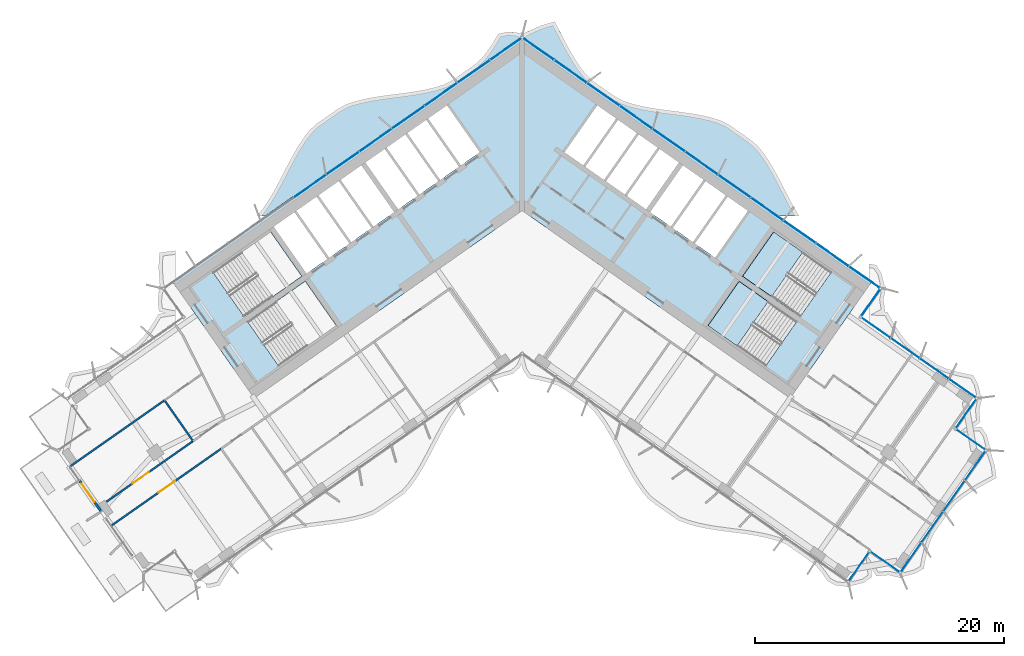
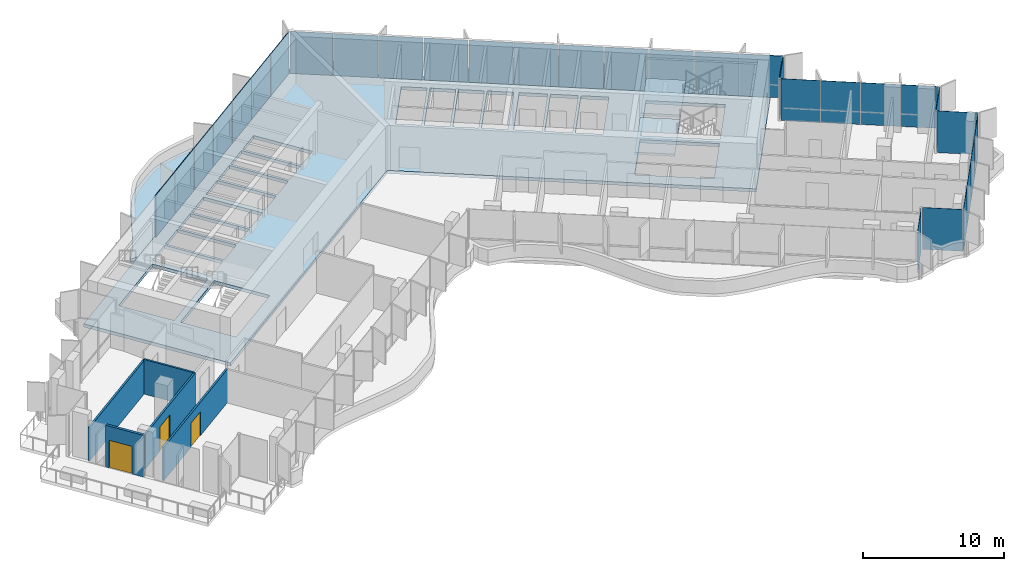
# One storey, part 13 of 24: 31 plates, 5 walls, 4 slabs, 3 doors, 3 openings, 4 elements without a shape of their own.
"""IFC4 building model written with IfcOpenShell, lengths in metres."""

from ifc_helpers import new_model, si_unit, direction, frame, frame_2d, origin, origin_2d, place, context, subcontext, project, spatial, polyline, rectangle, outline, extrude, material, layer, layer_set, type_object, element, fill, aggregate, save


model = new_model("IFC4")

# Units and contexts
model_context = context("Model", 3, precision=1e-05, world=origin(), true_north=direction((0.0, 1.0)))
body_context = subcontext(model_context, "Body", "Model", "MODEL_VIEW")
ifc_project = project(units=[si_unit("LENGTHUNIT", "METRE"), si_unit("AREAUNIT", "SQUARE_METRE"), si_unit("VOLUMEUNIT", "CUBIC_METRE"), si_unit("PLANEANGLEUNIT", "RADIAN"), si_unit("MASSUNIT", "GRAM", prefix="KILO")], contexts=[model_context])

# Site, building, storey
site_placement = place(None, origin())
site = spatial("IfcSite", under=ifc_project, at=site_placement, CompositionType="ELEMENT")
building_placement = place(site_placement, origin())
building = spatial("IfcBuilding", under=site, at=building_placement, Name="Tel Ilan Convention Tower", CompositionType="ELEMENT")
storey_placement = place(building_placement, frame((0.0, 0.0, 167.10009765625)))
storey = spatial("IfcBuildingStorey", under=building, at=storey_placement, Name="L38", CompositionType="ELEMENT", Elevation=167.10009765625)

# Curtain wall, plates
ifc_material_1 = material(Name="Aluminium, bronze anodised", Category="aluminium")
curtain_wall_type_1 = type_object("IfcCurtainWallType", Name="CW4 STICK CURTAIN WALL, OFFICE TINTED GLASS", PredefinedType="NOTDEFINED", material=ifc_material_1)
curtain_wall_1_placement = place(storey_placement, origin())
curtain_wall_1 = element("IfcCurtainWall", 1, at=curtain_wall_1_placement, inside=storey, type_object=curtain_wall_type_1, Name="Curtain wall CW4-30.04", PredefinedType="NOTDEFINED")
ifc_material_2 = material(Name="Glass, bronze tinted, two-ply", Category="glass")
ifc_layer_1 = layer(ifc_material_2, 0.028076171875)
ifc_layer_set_1 = layer_set([ifc_layer_1], Name="CW GLASS PANEL 28")
plate_type_1 = type_object("IfcPlateType", Name="CW GLASS PANEL 28", PredefinedType="CURTAIN_PANEL", material=ifc_layer_set_1)
plate_1_placement = place(storey_placement, frame((27.065673828125, -29.863525390625, -0.000244140625), z_axis=(0.0, 0.0, 1.0), x_axis=(0.573576436351, 0.819152044289, 0.0)))
plate_1 = element("IfcPlate", 2, at=plate_1_placement, type_object=plate_type_1, Name="Glass panel", PredefinedType="CURTAIN_PANEL", context=body_context, shape_type="SweptSolid", body=[
    extrude(rectangle(XDim=2.875, YDim=0.028076171875, at=origin_2d()), origin(), (0.0, 0.0, 1.0), 3.6201171875),
])
plate_2_placement = place(storey_placement, frame((29.20849609375, -29.48583984375, -0.000244140625), z_axis=(0.0, 0.0, 1.0), x_axis=(0.819152044289, -0.573576436351, 0.0)))
plate_2 = element("IfcPlate", 3, at=plate_2_placement, type_object=plate_type_1, Name="Glass panel", PredefinedType="CURTAIN_PANEL", context=body_context, shape_type="SweptSolid", body=[
    extrude(rectangle(XDim=2.875, YDim=0.028076171875, at=origin_2d()), origin(), (0.0, 0.0, 1.0), 3.6201171875),
])
plate_3_placement = place(storey_placement, frame((31.25, -29.1181640625, -0.000244140625), z_axis=(0.0, 0.0, 1.0), x_axis=(0.573576436351, 0.819152044289, 0.0)))
plate_3 = element("IfcPlate", 4, at=plate_3_placement, type_object=plate_type_1, Name="Glass panel", PredefinedType="CURTAIN_PANEL", context=body_context, shape_type="SweptSolid", body=[
    extrude(rectangle(XDim=2.89599609375, YDim=0.028076171875, at=origin_2d()), origin(), (0.0, 0.0, 1.0), 3.6201171875),
])
plate_4_placement = place(storey_placement, frame((32.972412109375, -26.658203125, -0.000244140625), z_axis=(0.0, 0.0, 1.0), x_axis=(0.573576436351, 0.819152044289, 0.0)))
plate_4 = element("IfcPlate", 5, at=plate_4_placement, type_object=plate_type_1, Name="Glass panel", PredefinedType="CURTAIN_PANEL", context=body_context, shape_type="SweptSolid", body=[
    extrude(rectangle(XDim=2.989990234375, YDim=0.028076171875, at=origin_2d()), origin(), (0.0, 0.0, 1.0), 3.6201171875),
])
plate_5_placement = place(storey_placement, frame((34.721923828125, -24.159912109375, -0.000244140625), z_axis=(0.0, 0.0, 1.0), x_axis=(0.573576436351, 0.819152044289, 0.0)))
plate_5 = element("IfcPlate", 6, at=plate_5_placement, type_object=plate_type_1, Name="Glass panel", PredefinedType="CURTAIN_PANEL", context=body_context, shape_type="SweptSolid", body=[
    extrude(rectangle(XDim=2.989990234375, YDim=0.028076171875, at=origin_2d()), origin(), (0.0, 0.0, 1.0), 3.6201171875),
])
plate_6_placement = place(storey_placement, frame((36.4443359375, -21.699951171875, -0.000244140625), z_axis=(0.0, 0.0, 1.0), x_axis=(0.573576436351, 0.819152044289, 0.0)))
plate_6 = element("IfcPlate", 7, at=plate_6_placement, type_object=plate_type_1, Name="Glass panel", PredefinedType="CURTAIN_PANEL", context=body_context, shape_type="SweptSolid", body=[
    extrude(rectangle(XDim=2.89599609375, YDim=0.028076171875, at=origin_2d()), origin(), (0.0, 0.0, 1.0), 3.6201171875),
])
plate_7_placement = place(storey_placement, frame((36.09130859375, -19.656005859375, -0.000244140625), z_axis=(0.0, 0.0, 1.0), x_axis=(-0.819152044289, 0.573576436351, 0.0)))
plate_7 = element("IfcPlate", 8, at=plate_7_placement, type_object=plate_type_1, Name="Glass panel", PredefinedType="CURTAIN_PANEL", context=body_context, shape_type="SweptSolid", body=[
    extrude(rectangle(XDim=2.875, YDim=0.028076171875, at=origin_2d()), origin(), (0.0, 0.0, 1.0), 3.6201171875),
])
plate_8_placement = place(storey_placement, frame((35.713623046875, -17.51318359375, -0.000244140625), z_axis=(0.0, 0.0, 1.0), x_axis=(0.573576436351, 0.819152044289, 0.0)))
plate_8 = element("IfcPlate", 9, at=plate_8_placement, type_object=plate_type_1, Name="Glass panel", PredefinedType="CURTAIN_PANEL", context=body_context, shape_type="SweptSolid", body=[
    extrude(rectangle(XDim=2.875, YDim=0.028076171875, at=origin_2d()), origin(), (0.0, 0.0, 1.0), 3.6201171875),
])
plate_9_placement = place(storey_placement, frame((35.427978515625, -15.529052734375, -0.000244140625), z_axis=(0.0, 0.0, 1.0), x_axis=(-0.819152044289, 0.573576436351, 0.0)))
plate_9 = element("IfcPlate", 10, at=plate_9_placement, type_object=plate_type_1, Name="Glass panel", PredefinedType="CURTAIN_PANEL", context=body_context, shape_type="SweptSolid", body=[
    extrude(rectangle(XDim=2.696044921875, YDim=0.028076171875, at=origin_2d()), origin(), (0.0, 0.0, 1.0), 3.6201171875),
])
plate_10_placement = place(storey_placement, frame((33.1318359375, -13.92138671875, -0.000244140625), z_axis=(0.0, 0.0, 1.0), x_axis=(-0.819152044289, 0.573576436351, 0.0)))
plate_10 = element("IfcPlate", 11, at=plate_10_placement, type_object=plate_type_1, Name="Glass panel", PredefinedType="CURTAIN_PANEL", context=body_context, shape_type="SweptSolid", body=[
    extrude(rectangle(XDim=2.7900390625, YDim=0.028076171875, at=origin_2d()), origin(), (0.0, 0.0, 1.0), 3.6201171875),
])
plate_11_placement = place(storey_placement, frame((30.79736328125, -12.28662109375, -0.000244140625), z_axis=(0.0, 0.0, 1.0), x_axis=(-0.819152044289, 0.573576436351, 0.0)))
plate_11 = element("IfcPlate", 12, at=plate_11_placement, type_object=plate_type_1, Name="Glass panel", PredefinedType="CURTAIN_PANEL", context=body_context, shape_type="SweptSolid", body=[
    extrude(rectangle(XDim=2.7900390625, YDim=0.028076171875, at=origin_2d()), origin(), (0.0, 0.0, 1.0), 3.6201171875),
])
plate_12_placement = place(storey_placement, frame((28.450927734375, -10.6435546875, -0.000244140625), z_axis=(0.0, 0.0, 1.0), x_axis=(-0.819152044289, 0.573576436351, 0.0)))
plate_12 = element("IfcPlate", 13, at=plate_12_placement, type_object=plate_type_1, Name="Glass panel", PredefinedType="CURTAIN_PANEL", context=body_context, shape_type="SweptSolid", body=[
    extrude(rectangle(XDim=2.819091796875, YDim=0.028076171875, at=origin_2d()), origin(), (0.0, 0.0, 1.0), 3.6201171875),
])
aggregate(curtain_wall_1, [plate_1, plate_2, plate_3, plate_4, plate_5, plate_6, plate_7, plate_8, plate_9, plate_10, plate_11, plate_12])

ifc_material_3 = material(Name="Aluminium, bronze anodised", Category="aluminium")
curtain_wall_type_2 = type_object("IfcCurtainWallType", Name="CW2 STICK CURTAIN WALL, SPANDREL PANELS", PredefinedType="NOTDEFINED", material=ifc_material_3)
curtain_wall_2_placement = place(storey_placement, origin())
curtain_wall_2 = element("IfcCurtainWall", 14, at=curtain_wall_2_placement, inside=storey, type_object=curtain_wall_type_2, Name="Curtain wall CW2-30.01", PredefinedType="NOTDEFINED")
ifc_material_4 = material(Name="Aluminium composite panel, bronze anodised", Category="aluminium")
ifc_layer_2 = layer(ifc_material_4, 0.06005859375)
ifc_layer_set_2 = layer_set([ifc_layer_2], Name="CW SPANDREL PANEL 60")
plate_type_2 = type_object("IfcPlateType", Name="CW SPANDREL PANEL 60", PredefinedType="CURTAIN_PANEL", material=ifc_layer_set_2)
plate_13_placement = place(storey_placement, frame((28.033935546875, -8.60546875, -0.000244140625), z_axis=(0.0, 0.0, 1.0), x_axis=(0.573576436351, 0.819152044289, 0.0)))
plate_13 = element("IfcPlate", 15, at=plate_13_placement, type_object=plate_type_2, Name="Spandrel panel", PredefinedType="CURTAIN_PANEL", context=body_context, shape_type="SweptSolid", body=[
    extrude(rectangle(XDim=2.658935546875, YDim=0.06005859375, at=origin_2d()), origin(), (0.0, 0.0, 1.0), 3.6201171875),
])
plate_14_placement = place(storey_placement, frame((27.5400390625, -6.587646484375, -0.000244140625), z_axis=(0.0, 0.0, 1.0), x_axis=(-0.819152044289, 0.573576436351, 0.0)))
plate_14 = element("IfcPlate", 16, at=plate_14_placement, type_object=plate_type_2, Name="Spandrel panel", PredefinedType="CURTAIN_PANEL", context=body_context, shape_type="SweptSolid", body=[
    extrude(rectangle(XDim=3.0439453125, YDim=0.06005859375, at=origin_2d()), origin(), (0.0, 0.0, 1.0), 3.6201171875),
])
plate_15_placement = place(storey_placement, frame((24.95263671875, -4.77587890625, -0.000244140625), z_axis=(0.0, 0.0, 1.0), x_axis=(-0.819152044289, 0.573576436351, 0.0)))
plate_15 = element("IfcPlate", 17, at=plate_15_placement, type_object=plate_type_2, Name="Spandrel panel", PredefinedType="CURTAIN_PANEL", context=body_context, shape_type="SweptSolid", body=[
    extrude(rectangle(XDim=3.15380859375, YDim=0.06005859375, at=origin_2d()), origin(), (0.0, 0.0, 1.0), 3.6201171875),
])
plate_16_placement = place(storey_placement, frame((22.31982421875, -2.9326171875, -0.000244140625), z_axis=(0.0, 0.0, 1.0), x_axis=(-0.819152044289, 0.573576436351, 0.0)))
plate_16 = element("IfcPlate", 18, at=plate_16_placement, type_object=plate_type_2, Name="Spandrel panel", PredefinedType="CURTAIN_PANEL", context=body_context, shape_type="SweptSolid", body=[
    extrude(rectangle(XDim=3.15380859375, YDim=0.06005859375, at=origin_2d()), origin(), (0.0, 0.0, 1.0), 3.6201171875),
])
plate_17_placement = place(storey_placement, frame((19.687255859375, -1.089111328125, -0.000244140625), z_axis=(0.0, 0.0, 1.0), x_axis=(-0.819152044289, 0.573576436351, 0.0)))
plate_17 = element("IfcPlate", 19, at=plate_17_placement, type_object=plate_type_2, Name="Spandrel panel", PredefinedType="CURTAIN_PANEL", context=body_context, shape_type="SweptSolid", body=[
    extrude(rectangle(XDim=3.15380859375, YDim=0.06005859375, at=origin_2d()), origin(), (0.0, 0.0, 1.0), 3.6201171875),
])
plate_18_placement = place(storey_placement, frame((17.0546875, 0.754150390625, -0.000244140625), z_axis=(0.0, 0.0, 1.0), x_axis=(-0.819152044289, 0.573576436351, 0.0)))
plate_18 = element("IfcPlate", 20, at=plate_18_placement, type_object=plate_type_2, Name="Spandrel panel", PredefinedType="CURTAIN_PANEL", context=body_context, shape_type="SweptSolid", body=[
    extrude(rectangle(XDim=3.15380859375, YDim=0.06005859375, at=origin_2d()), origin(), (0.0, 0.0, 1.0), 3.6201171875),
])
plate_19_placement = place(storey_placement, frame((14.422119140625, 2.59765625, -0.000244140625), z_axis=(0.0, 0.0, 1.0), x_axis=(-0.819152044289, 0.573576436351, 0.0)))
plate_19 = element("IfcPlate", 21, at=plate_19_placement, type_object=plate_type_2, Name="Spandrel panel", PredefinedType="CURTAIN_PANEL", context=body_context, shape_type="SweptSolid", body=[
    extrude(rectangle(XDim=3.15380859375, YDim=0.06005859375, at=origin_2d()), origin(), (0.0, 0.0, 1.0), 3.6201171875),
])
plate_20_placement = place(storey_placement, frame((11.789306640625, 4.44091796875, -0.000244140625), z_axis=(0.0, 0.0, 1.0), x_axis=(-0.819152044289, 0.573576436351, 0.0)))
plate_20 = element("IfcPlate", 22, at=plate_20_placement, type_object=plate_type_2, Name="Spandrel panel", PredefinedType="CURTAIN_PANEL", context=body_context, shape_type="SweptSolid", body=[
    extrude(rectangle(XDim=3.15380859375, YDim=0.06005859375, at=origin_2d()), origin(), (0.0, 0.0, 1.0), 3.6201171875),
])
plate_21_placement = place(storey_placement, frame((9.15673828125, 6.284423828125, -0.000244140625), z_axis=(0.0, 0.0, 1.0), x_axis=(-0.819152044289, 0.573576436351, 0.0)))
plate_21 = element("IfcPlate", 23, at=plate_21_placement, type_object=plate_type_2, Name="Spandrel panel", PredefinedType="CURTAIN_PANEL", context=body_context, shape_type="SweptSolid", body=[
    extrude(rectangle(XDim=3.15380859375, YDim=0.06005859375, at=origin_2d()), origin(), (0.0, 0.0, 1.0), 3.6201171875),
])
plate_22_placement = place(storey_placement, frame((6.524169921875, 8.127685546875, -0.000244140625), z_axis=(0.0, 0.0, 1.0), x_axis=(-0.819152044289, 0.573576436351, 0.0)))
plate_22 = element("IfcPlate", 24, at=plate_22_placement, type_object=plate_type_2, Name="Spandrel panel", PredefinedType="CURTAIN_PANEL", context=body_context, shape_type="SweptSolid", body=[
    extrude(rectangle(XDim=3.15380859375, YDim=0.06005859375, at=origin_2d()), origin(), (0.0, 0.0, 1.0), 3.6201171875),
])
plate_23_placement = place(storey_placement, frame((3.8916015625, 9.97119140625, -0.000244140625), z_axis=(0.0, 0.0, 1.0), x_axis=(-0.819152044289, 0.573576436351, 0.0)))
plate_23 = element("IfcPlate", 25, at=plate_23_placement, type_object=plate_type_2, Name="Spandrel panel", PredefinedType="CURTAIN_PANEL", context=body_context, shape_type="SweptSolid", body=[
    extrude(rectangle(XDim=3.15380859375, YDim=0.06005859375, at=origin_2d()), origin(), (0.0, 0.0, 1.0), 3.6201171875),
])
plate_24_placement = place(storey_placement, frame((1.303955078125, 11.782958984375, -0.000244140625), z_axis=(0.0, 0.0, 1.0), x_axis=(-0.819152044289, 0.573576436351, 0.0)))
plate_24 = element("IfcPlate", 26, at=plate_24_placement, type_object=plate_type_2, Name="Spandrel panel", PredefinedType="CURTAIN_PANEL", context=body_context, shape_type="SweptSolid", body=[
    extrude(rectangle(XDim=3.0439453125, YDim=0.06005859375, at=origin_2d()), origin(), (0.0, 0.0, 1.0), 3.6201171875),
])
plate_25_placement = place(storey_placement, frame((-1.303955078125, 11.782958984375, -0.000244140625), z_axis=(0.0, 0.0, 1.0), x_axis=(-0.819152044289, -0.573576436351, 0.0)))
plate_25 = element("IfcPlate", 27, at=plate_25_placement, type_object=plate_type_2, Name="Spandrel panel", PredefinedType="CURTAIN_PANEL", context=body_context, shape_type="SweptSolid", body=[
    extrude(rectangle(XDim=3.0439453125, YDim=0.06005859375, at=origin_2d()), origin(), (0.0, 0.0, 1.0), 3.6201171875),
])
plate_26_placement = place(storey_placement, frame((-3.8916015625, 9.97119140625, -0.000244140625), z_axis=(0.0, 0.0, 1.0), x_axis=(-0.819152044289, -0.573576436351, 0.0)))
plate_26 = element("IfcPlate", 28, at=plate_26_placement, type_object=plate_type_2, Name="Spandrel panel", PredefinedType="CURTAIN_PANEL", context=body_context, shape_type="SweptSolid", body=[
    extrude(rectangle(XDim=3.15380859375, YDim=0.06005859375, at=origin_2d()), origin(), (0.0, 0.0, 1.0), 3.6201171875),
])
plate_27_placement = place(storey_placement, frame((-6.524169921875, 8.127685546875, -0.000244140625), z_axis=(0.0, 0.0, 1.0), x_axis=(-0.819152044289, -0.573576436351, 0.0)))
plate_27 = element("IfcPlate", 29, at=plate_27_placement, type_object=plate_type_2, Name="Spandrel panel", PredefinedType="CURTAIN_PANEL", context=body_context, shape_type="SweptSolid", body=[
    extrude(rectangle(XDim=3.15380859375, YDim=0.06005859375, at=origin_2d()), origin(), (0.0, 0.0, 1.0), 3.6201171875),
])
plate_28_placement = place(storey_placement, frame((-9.15673828125, 6.284423828125, -0.000244140625), z_axis=(0.0, 0.0, 1.0), x_axis=(-0.819152044289, -0.573576436351, 0.0)))
plate_28 = element("IfcPlate", 30, at=plate_28_placement, type_object=plate_type_2, Name="Spandrel panel", PredefinedType="CURTAIN_PANEL", context=body_context, shape_type="SweptSolid", body=[
    extrude(rectangle(XDim=3.15380859375, YDim=0.06005859375, at=origin_2d()), origin(), (0.0, 0.0, 1.0), 3.6201171875),
])
plate_29_placement = place(storey_placement, frame((-11.789306640625, 4.44091796875, -0.000244140625), z_axis=(0.0, 0.0, 1.0), x_axis=(-0.819152044289, -0.573576436351, 0.0)))
plate_29 = element("IfcPlate", 31, at=plate_29_placement, type_object=plate_type_2, Name="Spandrel panel", PredefinedType="CURTAIN_PANEL", context=body_context, shape_type="SweptSolid", body=[
    extrude(rectangle(XDim=3.15380859375, YDim=0.06005859375, at=origin_2d()), origin(), (0.0, 0.0, 1.0), 3.6201171875),
])
plate_30_placement = place(storey_placement, frame((-14.422119140625, 2.59765625, -0.000244140625), z_axis=(0.0, 0.0, 1.0), x_axis=(-0.819152044289, -0.573576436351, 0.0)))
plate_30 = element("IfcPlate", 32, at=plate_30_placement, type_object=plate_type_2, Name="Spandrel panel", PredefinedType="CURTAIN_PANEL", context=body_context, shape_type="SweptSolid", body=[
    extrude(rectangle(XDim=3.15380859375, YDim=0.06005859375, at=origin_2d()), origin(), (0.0, 0.0, 1.0), 3.6201171875),
])
plate_31_placement = place(storey_placement, frame((-17.0546875, 0.754150390625, -0.000244140625), z_axis=(0.0, 0.0, 1.0), x_axis=(-0.819152044289, -0.573576436351, 0.0)))
plate_31 = element("IfcPlate", 33, at=plate_31_placement, type_object=plate_type_2, Name="Spandrel panel", PredefinedType="CURTAIN_PANEL", context=body_context, shape_type="SweptSolid", body=[
    extrude(rectangle(XDim=3.15380859375, YDim=0.06005859375, at=origin_2d()), origin(), (0.0, 0.0, 1.0), 3.6201171875),
])
aggregate(curtain_wall_2, [plate_13, plate_14, plate_15, plate_16, plate_17, plate_18, plate_19, plate_20, plate_21, plate_22, plate_23, plate_24, plate_25, plate_26, plate_27, plate_28, plate_29, plate_30, plate_31])

# Stair, slab
ifc_material_5 = material(Name="Concrete C40/50", Category="concrete")
stair_type = type_object("IfcStairType", Name="Pressurised Exit Stair 22 risers 177 mm", PredefinedType="HALF_TURN_STAIR", material=ifc_material_5)
stair_1_placement = place(storey_placement, origin())
stair_1 = element("IfcStair", 34, at=stair_1_placement, inside=storey, type_object=stair_type, Name="L38 Pressurised Stair S3", PredefinedType="HALF_TURN_STAIR")
ifc_material_6 = material(Name="Concrete C40/50", Category="concrete")
ifc_layer_3 = layer(ifc_material_6, 0.199951171875)
ifc_layer_set_3 = layer_set([ifc_layer_3], Name="Concrete Stair Landing 200 mm C40/50")
slab_type_1 = type_object("IfcSlabType", Name="Concrete Stair Landing 200 mm", PredefinedType="LANDING", material=ifc_layer_set_3)
slab_1_placement = place(storey_placement, frame((0.0, 0.0, 1.75)))
slab_1 = element("IfcSlab", 35, at=slab_1_placement, type_object=slab_type_1, Name="S3 landing 1", PredefinedType="LANDING", context=body_context, shape_type="SweptSolid", body=[
    extrude(outline(polyline([(22.561767578125, -4.566650390625), (20.226318359375, -2.931640625), (17.7314453125, -6.494873046875), (20.066650390625, -8.130126953125), (22.561767578125, -4.566650390625)])), origin(), (0.0, 0.0, 1.0), 0.199951171875),
])
aggregate(stair_1, [slab_1])

stair_2_placement = place(storey_placement, origin())
stair_2 = element("IfcStair", 36, at=stair_2_placement, inside=storey, type_object=stair_type, Name="L38 Pressurised Stair S4", PredefinedType="HALF_TURN_STAIR")
slab_2_placement = place(storey_placement, frame((0.0, 0.0, 1.75)))
slab_2 = element("IfcSlab", 37, at=slab_2_placement, type_object=slab_type_1, Name="S4 landing 1", PredefinedType="LANDING", context=body_context, shape_type="SweptSolid", body=[
    extrude(outline(polyline([(19.77978515625, -8.53955078125), (17.444580078125, -6.904541015625), (14.949462890625, -10.4677734375), (17.28466796875, -12.10302734375), (19.77978515625, -8.53955078125)])), origin(), (0.0, 0.0, 1.0), 0.199951171875),
])
aggregate(stair_2, [slab_2])

# Slabs
ifc_material_7 = material(Name="Concrete C40/50", Category="concrete")
ifc_layer_4 = layer(ifc_material_7, 0.280029296875)
ifc_layer_set_4 = layer_set([ifc_layer_4], Name="Core Floor Slab 280 mm C40/50")
slab_type_2 = type_object("IfcSlabType", Name="Core Floor Slab 280 mm C40/50", PredefinedType="FLOOR", material=ifc_layer_set_4)
slab_3_placement = place(storey_placement, frame((0.0, 0.0, -0.280029296875)))
element("IfcSlab", 38, at=slab_3_placement, inside=storey, type_object=slab_type_2, Name="L38 core floor 1", PredefinedType="FLOOR", context=body_context, shape_type="SweptSolid", body=[
    extrude(outline(polyline([(-28.1396484375, -6.885498046875), (0.0, 12.818115234375), (28.1396484375, -6.885498046875), (21.54345703125, -16.3056640625), (0.0, -1.220703125), (-21.54345703125, -16.3056640625), (-28.1396484375, -6.885498046875)]), holes=[polyline([(-14.949462890625, -10.4677734375), (-17.444580078125, -6.904541015625), (-22.072021484375, -10.144775390625), (-19.5771484375, -13.7080078125), (-14.949462890625, -10.4677734375)]), polyline([(-17.7314453125, -6.494873046875), (-20.226318359375, -2.931640625), (-24.85400390625, -6.171875), (-22.35888671875, -9.735107421875), (-17.7314453125, -6.494873046875)]), polyline([(-18.313720703125, -1.34814453125), (-19.972412109375, -2.509521484375), (-17.333984375, -6.277587890625), (-15.67529296875, -5.1162109375), (-18.313720703125, -1.34814453125)]), polyline([(-16.531982421875, -0.1005859375), (-18.14990234375, -1.2333984375), (-15.511474609375, -5.00146484375), (-13.8935546875, -3.86865234375), (-16.531982421875, -0.1005859375)]), polyline([(-14.75048828125, 1.14697265625), (-16.368408203125, 0.01416015625), (-13.729736328125, -3.75390625), (-12.112060546875, -2.62109375), (-14.75048828125, 1.14697265625)]), polyline([(-12.927734375, 2.423095703125), (-14.586669921875, 1.26171875), (-11.947998046875, -2.506591796875), (-10.289306640625, -1.344970703125), (-12.927734375, 2.423095703125)]), polyline([(-11.053955078125, 3.735107421875), (-12.60009765625, 2.652587890625), (-9.961669921875, -1.115478515625), (-8.41552734375, -0.032958984375), (-11.053955078125, 3.735107421875)]), polyline([(-6.74658203125, 1.1357421875), (-9.385009765625, 4.90380859375), (-10.89013671875, 3.849853515625), (-8.251708984375, 0.081787109375), (-6.74658203125, 1.1357421875)]), polyline([(-5.077392578125, 2.304443359375), (-7.716064453125, 6.072509765625), (-9.22119140625, 5.0185546875), (-6.582763671875, 1.25048828125), (-5.077392578125, 2.304443359375)]), polyline([(-6.046875, 7.2412109375), (-7.552001953125, 6.187255859375), (-4.913818359375, 2.419189453125), (-3.408447265625, 3.47314453125), (-6.046875, 7.2412109375)]), polyline([(17.444580078125, -6.904541015625), (14.949462890625, -10.4677734375), (19.5771484375, -13.7080078125), (22.072021484375, -10.144775390625), (17.444580078125, -6.904541015625)]), polyline([(20.226318359375, -2.931640625), (17.7314453125, -6.494873046875), (22.35888671875, -9.735107421875), (24.85400390625, -6.171875), (20.226318359375, -2.931640625)]), polyline([(13.8935546875, -3.86865234375), (15.511474609375, -5.00146484375), (18.14990234375, -1.2333984375), (16.531982421875, -0.1005859375), (13.8935546875, -3.86865234375)]), polyline([(12.112060546875, -2.62109375), (13.729736328125, -3.75390625), (16.368408203125, 0.01416015625), (14.75048828125, 1.14697265625), (12.112060546875, -2.62109375)]), polyline([(11.947998046875, -2.506591796875), (14.586669921875, 1.26171875), (12.927734375, 2.423095703125), (10.289306640625, -1.344970703125), (11.947998046875, -2.506591796875)]), polyline([(9.961669921875, -1.115478515625), (12.60009765625, 2.652587890625), (11.053955078125, 3.735107421875), (8.41552734375, -0.032958984375), (9.961669921875, -1.115478515625)]), polyline([(8.251708984375, 0.081787109375), (10.89013671875, 3.849853515625), (9.385009765625, 4.90380859375), (6.74658203125, 1.1357421875), (8.251708984375, 0.081787109375)]), polyline([(5.077392578125, 2.304443359375), (6.582763671875, 1.25048828125), (9.22119140625, 5.0185546875), (7.716064453125, 6.072509765625), (5.077392578125, 2.304443359375)]), polyline([(3.408447265625, 3.47314453125), (4.913818359375, 2.419189453125), (7.552001953125, 6.187255859375), (6.046875, 7.2412109375), (3.408447265625, 3.47314453125)])]), origin(), (0.0, 0.0, 1.0), 0.280029296875),
])
ifc_material_8 = material(Name="Concrete C40/50", Category="concrete")
ifc_layer_5 = layer(ifc_material_8, 0.280029296875)
ifc_layer_set_5 = layer_set([ifc_layer_5], Name="Edge Ledge Slab 280 mm C40/50")
slab_type_3 = type_object("IfcSlabType", Name="Edge Ledge Slab 280 mm C40/50", PredefinedType="FLOOR", material=ifc_layer_set_5)
slab_4_placement = place(storey_placement, frame((0.0, 0.0, -0.280029296875)))
element("IfcSlab", 39, at=slab_4_placement, inside=storey, type_object=slab_type_3, Name="L38 edge ledge 2", PredefinedType="FLOOR", context=body_context, shape_type="SweptSolid", body=[
    extrude(outline(polyline([(-18.44677734375, 3.209228515625), (-18.0390625, 3.910888671875), (-17.604736328125, 4.574951171875), (-17.13671875, 5.190185546875), (-16.6015625, 5.71044921875), (-14.791748046875, 6.977783203125), (-14.1416015625, 7.33349609375), (-13.41064453125, 7.573486328125), (-12.644287109375, 7.76318359375), (-11.849853515625, 7.91259765625), (-11.03564453125, 8.033935546875), (-10.211181640625, 8.140380859375), (-9.385986328125, 8.24609375), (-8.570068359375, 8.36474609375), (-7.7724609375, 8.509765625), (-7.002197265625, 8.693603515625), (-6.26611328125, 8.926513671875), (-5.601806640625, 9.261962890625), (-3.7919921875, 10.529296875), (-3.2421875, 11.0283203125), (-2.769287109375, 11.63671875), (-2.3310546875, 12.294921875), (-1.919921875, 12.991943359375), (-1.14208984375, 13.1650390625), (-0.172119140625, 13.06396484375), (-0.168701171875, 13.05908203125), (-0.11474609375, 13.09521484375), (0.0, 13.1181640625), (0.11474609375, 13.09521484375), (0.168701171875, 13.05908203125), (0.172119140625, 13.06396484375), (1.4794921875, 13.647216796875), (2.6162109375, 13.986328125), (3.000244140625, 13.250732421875), (3.38134765625, 12.510986328125), (3.770263671875, 11.7822265625), (4.176513671875, 11.078369140625), (4.608642578125, 10.41162109375), (5.074462890625, 9.792724609375), (5.601806640625, 9.261962890625), (7.411865234375, 7.99462890625), (8.054931640625, 7.62890625), (8.783447265625, 7.385498046875), (9.547607421875, 7.19287109375), (10.340576171875, 7.041015625), (11.15380859375, 6.91845703125), (11.977783203125, 6.811279296875), (12.80322265625, 6.7060546875), (13.6201171875, 6.588623046875), (14.419189453125, 6.44580078125), (15.191650390625, 6.2646484375), (15.929931640625, 6.03515625), (16.6015625, 5.71044921875), (18.41162109375, 4.443115234375), (18.96826171875, 3.9541015625), (19.44384765625, 3.34912109375), (19.884033203125, 2.69384765625), (20.296142578125, 1.998291015625), (20.688720703125, 1.27490234375), (21.07080078125, 0.53662109375), (21.4521484375, -0.202880859375), (21.8427734375, -0.928955078125), (22.25341796875, -1.631591796875), (20.63623046875, -1.631591796875), (0.0, 12.818115234375), (-20.63623046875, -1.631591796875), (-21.30126953125, -1.631591796875), (-20.849609375, -1.0634765625), (-20.4072265625, -0.4111328125), (-19.993408203125, 0.281982421875), (-19.60009765625, 1.004150390625), (-19.217529296875, 1.741943359375), (-18.83642578125, 2.481689453125), (-18.44677734375, 3.209228515625)])), origin(), (0.0, 0.0, 1.0), 0.280029296875),
])

# Wall, opening, door
ifc_material_9 = material(Name="Plasterboard on Steel Studs", Category="steel")
ifc_layer_6 = layer(ifc_material_9, 0.14990234375)
ifc_layer_set_6 = layer_set([ifc_layer_6], Name="Fire-rated Partition 150 EI 60")
wall_type_1 = type_object("IfcWallType", Name="Fire-rated Partition 150 EI 60", PredefinedType="PARTITIONING", material=ifc_layer_set_6)
wall_1_placement = place(storey_placement, frame((-33.422119140625, -24.623046875, 0.0), z_axis=(0.0, 0.0, 1.0), x_axis=(0.819164469643, 0.573558690697, 0.0)))
wall_1 = element("IfcWall", 40, at=wall_1_placement, inside=storey, type_object=wall_type_1, Name="Partition 012", PredefinedType="PARTITIONING", context=body_context, shape_type="SweptSolid", body=[
    extrude(rectangle(XDim=8.5029296875, YDim=0.14990234375, at=frame_2d((4.25146484375, 0.0))), origin(), (0.0, 0.0, 1.0), 3.0),
])
opening_1_placement = place(wall_1_placement, frame((2.551513671875, 0.0, 0.0)))
opening_1 = element("IfcOpeningElement", 41, at=opening_1_placement, cuts=wall_1, Name="Opening L38-008", PredefinedType="OPENING", context=body_context, shape_type="SweptSolid", body=[
    extrude(rectangle(XDim=1.60009765625, YDim=2.10009765625, at=frame_2d((0.800048828125, 1.050048828125))), frame((0.0, 0.0849609375, 0.0), z_axis=(0.0, -1.0, 0.0), x_axis=(1.0, 0.0, 0.0)), (0.0, 0.0, 1.0), 0.169921875),
])
ifc_material_10 = material(Name="Timber Door Leaf in Steel Frame", Category="steel")
door_type_1 = type_object("IfcDoorType", Name="Tenant Suite Entrance Fire Door 1600x2100", OperationType="NOTDEFINED", PredefinedType="DOOR", material=ifc_material_10)
door_1_placement = place(opening_1_placement, origin())
door_1 = element("IfcDoor", 42, at=door_1_placement, inside=storey, type_object=door_type_1, Name="Door L38-008", OperationType="DOUBLE_DOOR_SINGLE_SWING", OverallHeight=2.10009765625, OverallWidth=1.60009765625, PredefinedType="DOOR", context=body_context, shape_type="SweptSolid", body=[
    extrude(rectangle(XDim=1.60009765625, YDim=2.10009765625, at=frame_2d((0.800048828125, 1.050048828125))), frame((0.0, 0.02490234375, 0.0), z_axis=(0.0, -1.0, 0.0), x_axis=(1.0, 0.0, 0.0)), (0.0, 0.0, 1.0), 0.050048828125),
])
fill(opening_1, door_1)

wall_2_placement = place(storey_placement, frame((-24.195556640625, -20.360107421875, 0.0), z_axis=(0.0, 0.0, 1.0), x_axis=(-0.819152604668, -0.573575636047, 0.0)))
wall_2 = element("IfcWall", 43, at=wall_2_placement, inside=storey, type_object=wall_type_1, Name="Partition 016", PredefinedType="PARTITIONING", context=body_context, shape_type="SweptSolid", body=[
    extrude(rectangle(XDim=10.7021484375, YDim=0.14990234375, at=frame_2d((5.35107421875, 0.0))), origin(), (0.0, 0.0, 1.0), 2.89990234375),
])
opening_2_placement = place(wall_2_placement, frame((4.551025390625, 0.0, 0.0)))
opening_2 = element("IfcOpeningElement", 44, at=opening_2_placement, cuts=wall_2, Name="Opening L38-005", PredefinedType="OPENING", context=body_context, shape_type="SweptSolid", body=[
    extrude(rectangle(XDim=1.60009765625, YDim=2.10009765625, at=frame_2d((0.800048828125, 1.050048828125))), frame((0.0, 0.0849609375, 0.0), z_axis=(0.0, -1.0, 0.0), x_axis=(1.0, 0.0, 0.0)), (0.0, 0.0, 1.0), 0.169921875),
])
door_2_placement = place(opening_2_placement, origin())
door_2 = element("IfcDoor", 45, at=door_2_placement, inside=storey, type_object=door_type_1, Name="Door L38-005", OperationType="DOUBLE_DOOR_SINGLE_SWING", OverallHeight=2.10009765625, OverallWidth=1.60009765625, PredefinedType="DOOR", context=body_context, shape_type="SweptSolid", body=[
    extrude(rectangle(XDim=1.60009765625, YDim=2.10009765625, at=frame_2d((0.800048828125, 1.050048828125))), frame((0.0, 0.02490234375, 0.0), z_axis=(0.0, -1.0, 0.0), x_axis=(1.0, 0.0, 0.0)), (0.0, 0.0, 1.0), 0.050048828125),
])
fill(opening_2, door_2)

# Walls
wall_3_placement = place(storey_placement, frame((-28.75341796875, -16.4697265625, 0.0), z_axis=(0.0, 0.0, 1.0), x_axis=(-0.819152122709, -0.573576324356, 0.0)))
element("IfcWall", 46, at=wall_3_placement, inside=storey, type_object=wall_type_1, Name="Partition 039", PredefinedType="PARTITIONING", context=body_context, shape_type="SweptSolid", body=[
    extrude(rectangle(XDim=9.199951171875, YDim=0.14990234375, at=frame_2d((4.60009765625, 0.0))), origin(), (0.0, 0.0, 1.0), 2.89990234375),
])
wall_4_placement = place(storey_placement, frame((-26.45849609375, -19.747314453125, 0.0), z_axis=(0.0, 0.0, 1.0), x_axis=(-0.573556557423, 0.819165963305, 0.0)))
element("IfcWall", 47, at=wall_4_placement, inside=storey, type_object=wall_type_1, Name="Partition 040", PredefinedType="PARTITIONING", context=body_context, shape_type="SweptSolid", body=[
    extrude(rectangle(XDim=4.0, YDim=0.14990234375, at=frame_2d((2.0, 0.0))), origin(), (0.0, 0.0, 1.0), 3.0),
])

# Wall, opening, door
ifc_material_11 = material(Name="Aluminium composite cladding, bronze anodised on steel studs", Category="steel")
ifc_layer_7 = layer(ifc_material_11, 0.199951171875)
ifc_layer_set_7 = layer_set([ifc_layer_7], Name="TERRACE DOOR BAY WALL 200")
wall_type_2 = type_object("IfcWallType", Name="TERRACE DOOR BAY WALL 200", PredefinedType="SOLIDWALL", material=ifc_layer_set_7)
wall_5_placement = place(storey_placement, frame((-35.579345703125, -22.935302734375, 0.0), z_axis=(0.0, 0.0, 1.0), x_axis=(0.57360481557, -0.819132172213, 0.0)))
wall_5 = element("IfcWall", 48, at=wall_5_placement, inside=storey, type_object=wall_type_2, Name="Terrace door bay", PredefinedType="SOLIDWALL", context=body_context, shape_type="SweptSolid", body=[
    extrude(rectangle(XDim=2.989990234375, YDim=0.199951171875, at=frame_2d((1.4951171875, 0.0))), origin(), (0.0, 0.0, 1.0), 3.619873046875),
])
opening_3_placement = place(wall_5_placement, frame((0.294921875, 0.0, 0.0)))
opening_3 = element("IfcOpeningElement", 49, at=opening_3_placement, cuts=wall_5, Name="Opening T38.01", PredefinedType="OPENING", context=body_context, shape_type="SweptSolid", body=[
    extrude(rectangle(XDim=1.800048828125, YDim=2.39990234375, at=frame_2d((0.89990234375, 1.199951171875))), frame((0.0, 0.10986328125, 0.0), z_axis=(0.0, -1.0, 0.0), x_axis=(1.0, 0.0, 0.0)), (0.0, 0.0, 1.0), 0.219970703125),
])
ifc_material_12 = material(Name="Aluminium framed glazed door, bronze anodised", Category="aluminium")
door_type_2 = type_object("IfcDoorType", Name="TERRACE DOUBLE DOOR 1800x2400", OperationType="NOTDEFINED", PredefinedType="DOOR", material=ifc_material_12)
door_3_placement = place(opening_3_placement, origin())
door_3 = element("IfcDoor", 50, at=door_3_placement, inside=storey, type_object=door_type_2, Name="Terrace door", OperationType="DOUBLE_DOOR_DOUBLE_SWING", OverallHeight=2.39990234375, OverallWidth=1.800048828125, PredefinedType="DOOR", context=body_context, shape_type="SweptSolid", body=[
    extrude(rectangle(XDim=1.800048828125, YDim=2.39990234375, at=frame_2d((0.89990234375, 1.199951171875))), frame((0.0, 0.02490234375, 0.0), z_axis=(0.0, -1.0, 0.0), x_axis=(1.0, 0.0, 0.0)), (0.0, 0.0, 1.0), 0.050048828125),
])
fill(opening_3, door_3)

save(model, "model.ifc")
